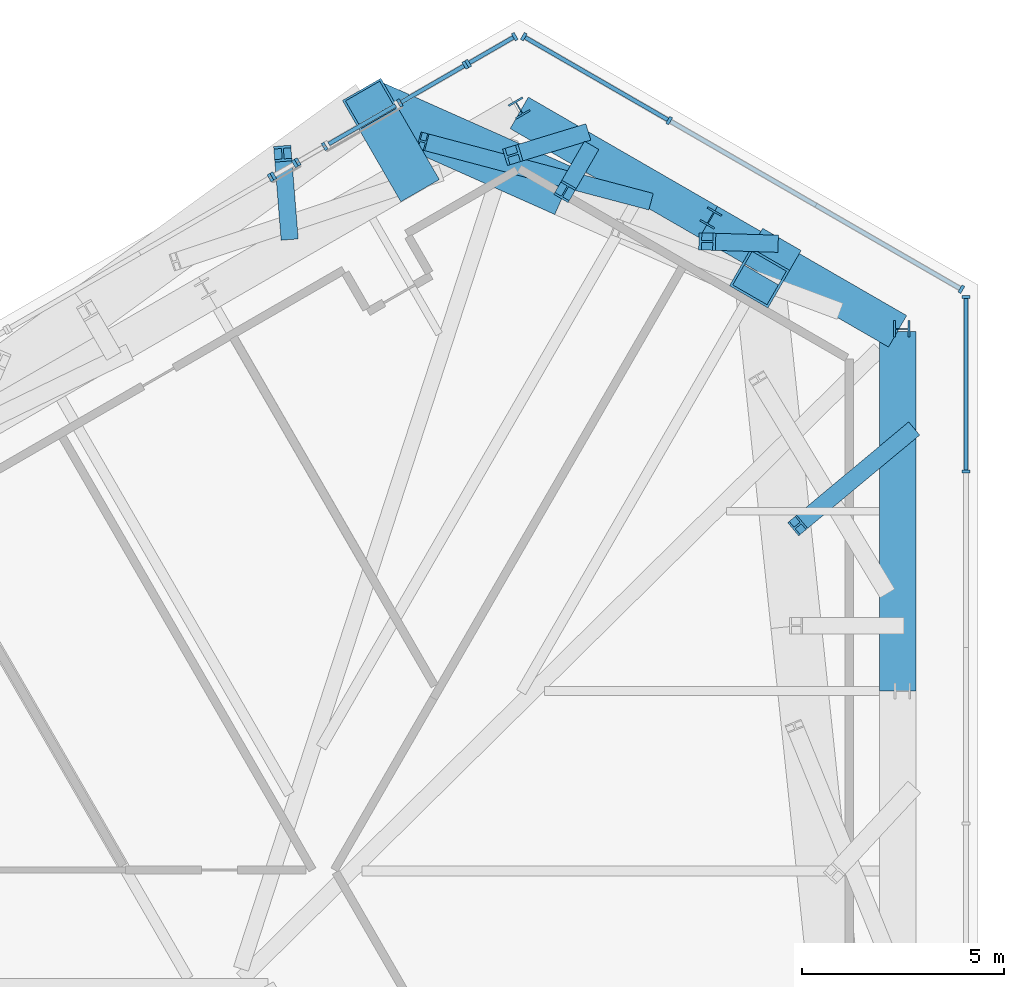
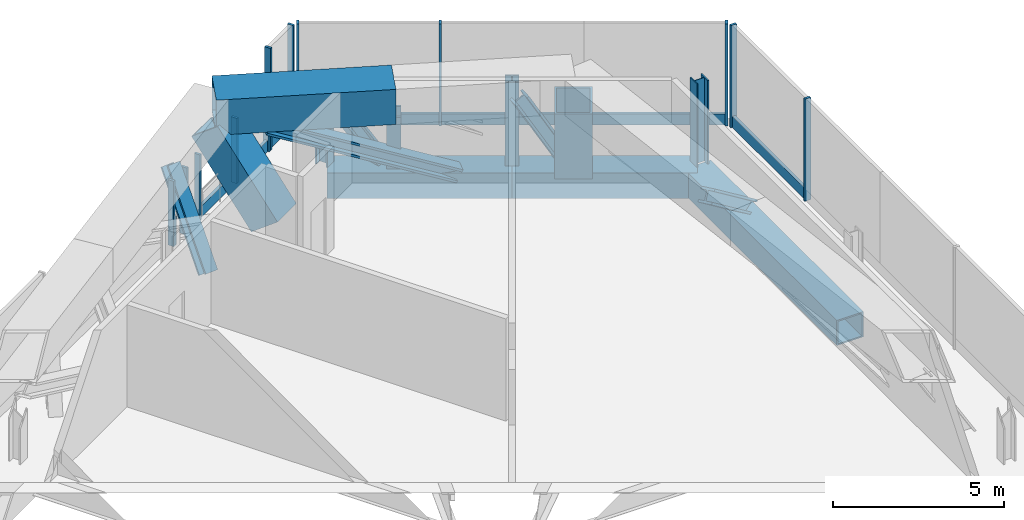
# One storey, part 8 of 23: 35 members, 8 elements without a shape of their own.
"""IFC4 building model written with IfcOpenShell, lengths in metres."""

from ifc_helpers import new_model, si_unit, direction, frame, origin, origin_2d, place, context, subcontext, project, spatial, rectangle, hollow_rectangle, i_section, extrude, source, transform, mapped, material, material_profile, profile_set, type_object, element, aggregate, save


model = new_model("IFC4")

# Units and contexts
model_context = context("Model", 3, precision=1e-05, world=origin(), true_north=direction((0.0, 1.0)))
body_context = subcontext(model_context, "Body", "Model", "MODEL_VIEW")
ifc_project = project(units=[si_unit("LENGTHUNIT", "METRE"), si_unit("AREAUNIT", "SQUARE_METRE"), si_unit("VOLUMEUNIT", "CUBIC_METRE"), si_unit("PLANEANGLEUNIT", "RADIAN"), si_unit("MASSUNIT", "GRAM", prefix="KILO")], contexts=[model_context])

# Site, building, storey
site_placement = place(None, origin())
site = spatial("IfcSite", under=ifc_project, at=site_placement, CompositionType="ELEMENT")
building_placement = place(site_placement, origin())
building = spatial("IfcBuilding", under=site, at=building_placement, Name="Triune Harvest Tower", CompositionType="ELEMENT")
storey_placement = place(building_placement, frame((0.0, 0.0, 54.699951171875)))
storey = spatial("IfcBuildingStorey", under=building, at=storey_placement, Name="L12", CompositionType="ELEMENT", Elevation=54.699951171875)

# Member
ifc_material_1 = material(Name="Steel ASTM A992 Gr 50", Category="steel")
ifc_material_profile_1 = material_profile(ifc_material_1, i_section(OverallWidth=0.424072265625, OverallDepth=0.47509765625, WebThickness=0.0478515625, FlangeThickness=0.0771484375, at=origin_2d()), Name="W14x426")
ifc_profile_set_1 = profile_set([ifc_material_profile_1], Name="Steel ASTM A992 Gr 50")
member_type_1 = type_object("IfcMemberType", Name="TD-1 Belt truss diagonal W14x426", PredefinedType="BRACE", material=ifc_profile_set_1)
member_1_placement = place(storey_placement, frame((15.474365234375, 29.96630859375, -0.324951171875), z_axis=(-0.871974273265, 0.230691571482, 0.431789608039), x_axis=(-0.255762894571, -0.966739541842, 0.0)))
element("IfcMember", 1, at=member_1_placement, inside=storey, type_object=member_type_1, Name="truss/L12/TD15", PredefinedType="BRACE", context=body_context, shape_type="SweptSolid", body=[
    extrude(i_section(OverallWidth=0.424072265625, OverallDepth=0.47509765625, WebThickness=0.0478515625, FlangeThickness=0.0771484375, at=origin_2d()), origin(), (0.0, 0.0, 1.0), 6.368896484375),
])

# Curtain wall, member
ifc_material_2 = material(Name="Aluminium bronze anodised", Category="aluminium")
curtain_wall_type = type_object("IfcCurtainWallType", Name="CW-5 Plant louvre wall", PredefinedType="NOTDEFINED", material=ifc_material_2)
curtain_wall_1_placement = place(storey_placement, origin())
curtain_wall_1 = element("IfcCurtainWall", 2, at=curtain_wall_1_placement, inside=storey, type_object=curtain_wall_type, Name="CW-5 B1-F1 L12 run 601")
ifc_material_3 = material(Name="Aluminium bronze anodised", Category="aluminium")
ifc_material_profile_2 = material_profile(ifc_material_3, rectangle(XDim=0.10009765625, YDim=0.39990234375, at=origin_2d()), Name="TR-5 transom 100 x 400")
ifc_profile_set_2 = profile_set([ifc_material_profile_2], Name="Aluminium bronze anodised")
member_type_2 = type_object("IfcMemberType", Name="TR-5 transom 100 x 400", PredefinedType="USERDEFINED", material=ifc_profile_set_2)
member_2_placement = place(storey_placement, frame((23.371337890625, 23.29736328125, 0.199951171875), z_axis=(0.0, 1.0, 0.0), x_axis=(-1.0, 0.0, 0.0)))
member_2 = element("IfcMember", 3, at=member_2_placement, type_object=member_type_2, Name="CW-5 transom B1-F1 601.5", ObjectType="TRANSOM", PredefinedType="USERDEFINED", context=body_context, shape_type="SweptSolid", body=[
    extrude(rectangle(XDim=0.10009765625, YDim=0.39990234375, at=origin_2d()), origin(), (0.0, 0.0, 1.0), 4.239501953125),
])

curtain_wall_2_placement = place(storey_placement, origin())
curtain_wall_2 = element("IfcCurtainWall", 4, at=curtain_wall_2_placement, inside=storey, type_object=curtain_wall_type, Name="CW-5 B1-F2 L12 run 1")
member_3_placement = place(storey_placement, frame((23.22412109375, 27.791748046875, 0.199951171875), z_axis=(-0.866021501281, 0.500006759273, 0.0), x_axis=(-0.500006759273, -0.866021501281, 0.0)))
member_3 = element("IfcMember", 5, at=member_3_placement, type_object=member_type_2, Name="CW-5 transom B1-F2 1.1", ObjectType="TRANSOM", PredefinedType="USERDEFINED", context=body_context, shape_type="SweptSolid", body=[
    extrude(rectangle(XDim=0.10009765625, YDim=0.39990234375, at=origin_2d()), origin(), (0.0, 0.0, 1.0), 8.27587890625),
])

curtain_wall_3_placement = place(storey_placement, origin())
curtain_wall_3 = element("IfcCurtainWall", 6, at=curtain_wall_3_placement, inside=storey, type_object=curtain_wall_type, Name="CW-5 B1-F3 L12 run 201")
member_4_placement = place(storey_placement, frame((9.245849609375, 32.324951171875, 0.199951171875), z_axis=(-0.866047183366, -0.499962274761, 0.0), x_axis=(0.499962274761, -0.866047183366, 0.0)))
member_4 = element("IfcMember", 7, at=member_4_placement, type_object=member_type_2, Name="CW-5 transom B1-F3 201.1", ObjectType="TRANSOM", PredefinedType="USERDEFINED", context=body_context, shape_type="SweptSolid", body=[
    extrude(rectangle(XDim=0.10009765625, YDim=0.39990234375, at=origin_2d()), origin(), (0.0, 0.0, 1.0), 1.909423828125),
])
aggregate(curtain_wall_3, [member_4])

# Members
ifc_material_4 = material(Name="Steel ASTM A992 Gr 50", Category="steel")
ifc_material_profile_3 = material_profile(ifc_material_4, i_section(OverallWidth=0.40380859375, OverallDepth=0.406494140625, WebThickness=0.027099609375, FlangeThickness=0.043701171875, at=origin_2d()), Name="W14x233")
ifc_profile_set_3 = profile_set([ifc_material_profile_3], Name="Steel ASTM A992 Gr 50")
member_type_3 = type_object("IfcMemberType", Name="WP-1 Roof edge post W14x233", PredefinedType="POST", material=ifc_profile_set_3)
shared_shape_1 = source(origin(), body_context, "Body", "SweptSolid", [
    extrude(i_section(OverallWidth=0.40380859375, OverallDepth=0.406494140625, WebThickness=0.027099609375, FlangeThickness=0.043701171875, at=origin_2d()), origin(), (0.0, 0.0, 1.0), 2.9755859375),
])
for number, where, z_axis, x_axis, name in (
    (8, (21.783447265625, 26.7900390625, -0.25), (0.0, 0.0, 1.0), (0.0, 1.0, 0.0), "post/L12/W6"),
    (9, (17.05419921875, 29.538818359375, -0.25), (0.0, 0.0, 1.0), (-0.866026276448, 0.4999984885, 0.0), "post/L12/W7"),
    (10, (12.30908203125, 32.260009765625, -0.25), (0.0, 0.0, 1.0), (-0.866025403784, -0.5, 0.0), "post/L12/W8"),
):
    element("IfcMember", number, at=place(storey_placement, frame(where, z_axis=z_axis, x_axis=x_axis)), inside=storey, type_object=member_type_3, Name=name, PredefinedType="POST", context=body_context, shape_type="MappedRepresentation", body=[
        mapped(shared_shape_1, transform((0.0, 0.0, 0.0), scale=1.0)),
    ])
ifc_material_5 = material(Name="Steel ASTM A572 Gr 50", Category="steel")
ifc_material_profile_4 = material_profile(ifc_material_5, hollow_rectangle(XDim=0.89990234375, YDim=0.89990234375, WallThickness=0.050048828125, at=origin_2d()), Name="Box 900x900x50")
ifc_profile_set_4 = profile_set([ifc_material_profile_4], Name="Steel ASTM A572 Gr 50")
member_type_4 = type_object("IfcMemberType", Name="TC-2 Belt truss chord Box 900x900x50", PredefinedType="CHORD", material=ifc_profile_set_4)
shared_shape_2 = source(origin(), body_context, "Body", "SweptSolid", [
    extrude(hollow_rectangle(XDim=0.89990234375, YDim=0.89990234375, WallThickness=0.050048828125, at=origin_2d()), origin(), (0.0, 0.0, 1.0), 8.909912109375),
])
member_5_placement = place(storey_placement, frame((21.679443359375, 17.820068359375, -0.699951171875), z_axis=(0.0, 1.0, 0.0), x_axis=(-1.0, 0.0, 0.0)))
element("IfcMember", 11, at=member_5_placement, inside=storey, type_object=member_type_4, Name="truss/L12/TCB6", PredefinedType="CHORD", context=body_context, shape_type="MappedRepresentation", body=[
    mapped(shared_shape_2, transform((0.0, 0.0, 0.0), scale=1.0)),
])
shared_shape_3 = source(origin(), body_context, "Body", "SweptSolid", [
    extrude(hollow_rectangle(XDim=0.89990234375, YDim=0.89990234375, WallThickness=0.050048828125, at=origin_2d()), origin(), (0.0, 0.0, 1.0), 5.409912109375),
])
for number, where, z_axis, x_axis, name in (
    (12, (21.679443359375, 26.72998046875, -0.699951171875), (-0.866012734315, 0.500021943523, 0.0), (-0.500021943523, -0.866012734315, 0.0), "truss/L12/TCB7"),
    (13, (16.994384765625, 29.43505859375, -0.699951171875), (-0.866043556948, 0.499968556481, 0.0), (-0.499968556481, -0.866043556948, 0.0), "truss/L12/TCB8"),
):
    element("IfcMember", number, at=place(storey_placement, frame(where, z_axis=z_axis, x_axis=x_axis)), inside=storey, type_object=member_type_4, Name=name, PredefinedType="CHORD", context=body_context, shape_type="MappedRepresentation", body=[
        mapped(shared_shape_3, transform((0.0, 0.0, 0.0), scale=1.0)),
    ])
ifc_material_6 = material(Name="Steel ASTM A572 Gr 50", Category="steel")
ifc_material_profile_5 = material_profile(ifc_material_6, hollow_rectangle(XDim=1.25, YDim=1.25, WallThickness=0.070068359375, at=origin_2d()), Name="Box 1250x1250x70")
ifc_profile_set_5 = profile_set([ifc_material_profile_5], Name="Steel ASTM A572 Gr 50")
member_type_5 = type_object("IfcMemberType", Name="TC-1 Belt truss chord Box 1250x1250x70", PredefinedType="CHORD", material=ifc_profile_set_5)
shared_shape_4 = source(origin(), body_context, "Body", "SweptSolid", [
    extrude(hollow_rectangle(XDim=1.25, YDim=1.25, WallThickness=0.070068359375, at=origin_2d()), origin(), (0.0, 0.0, 1.0), 5.273193359375),
])
member_6_placement = place(storey_placement, frame((13.443115234375, 30.194091796875, 3.01513671875), z_axis=(-0.91354979995, 0.406726889953, 0.0), x_axis=(-0.406726889953, -0.91354979995, 0.0)))
element("IfcMember", 14, at=member_6_placement, inside=storey, type_object=member_type_5, Name="truss/L12/TCT8", PredefinedType="CHORD", context=body_context, shape_type="MappedRepresentation", body=[
    mapped(shared_shape_4, transform((0.0, 0.0, 0.0), scale=1.0)),
])
ifc_material_7 = material(Name="Steel ASTM A572 Gr 50", Category="steel")
ifc_material_profile_6 = material_profile(ifc_material_7, hollow_rectangle(XDim=1.10009765625, YDim=1.10009765625, WallThickness=0.06005859375, at=origin_2d()), Name="Box 1100x1100x60")
ifc_profile_set_6 = profile_set([ifc_material_profile_6], Name="Steel ASTM A572 Gr 50")
member_type_6 = type_object("IfcMemberType", Name="TS-1 Belt truss raked strut Box 1100x1100x60", PredefinedType="STRUT", material=ifc_profile_set_6)
shared_shape_5 = source(origin(), body_context, "Body", "SweptSolid", [
    extrude(hollow_rectangle(XDim=1.10009765625, YDim=1.10009765625, WallThickness=0.06005859375, at=origin_2d()), origin(), (0.0, 0.0, 1.0), 3.368408203125),
])
member_7_placement = place(storey_placement, frame((9.6328125, 30.5947265625, -0.27490234375), z_axis=(-0.298980682871, 0.51779830265, 0.801558150756), x_axis=(-0.86600389892, -0.500037245667, 0.0)))
element("IfcMember", 15, at=member_7_placement, inside=storey, type_object=member_type_6, Name="truss/L12/TS9", PredefinedType="STRUT", context=body_context, shape_type="MappedRepresentation", body=[
    mapped(shared_shape_5, transform((0.0, 0.0, 0.0), scale=1.0)),
])
shared_shape_6 = source(origin(), body_context, "Body", "SweptSolid", [
    extrude(hollow_rectangle(XDim=1.10009765625, YDim=1.10009765625, WallThickness=0.06005859375, at=origin_2d()), origin(), (0.0, 0.0, 1.0), 2.7587890625),
])
member_8_placement = place(storey_placement, frame((18.544189453125, 28.540283203125, -0.27490234375), z_axis=(-0.102740327093, -0.178047836443, 0.978643649715), x_axis=(0.866142581785, -0.499796986805, 0.0)))
element("IfcMember", 16, at=member_8_placement, inside=storey, type_object=member_type_6, Name="truss/L12/TS7", PredefinedType="STRUT", context=body_context, shape_type="MappedRepresentation", body=[
    mapped(shared_shape_6, transform((0.0, 0.0, 0.0), scale=1.0)),
])
ifc_material_8 = material(Name="Steel ASTM A992 Gr 50", Category="steel")
ifc_material_profile_7 = material_profile(ifc_material_8, i_section(OverallWidth=0.411376953125, OverallDepth=0.434326171875, WebThickness=0.035888671875, FlangeThickness=0.057373046875, at=origin_2d()), Name="W14x311")
ifc_profile_set_7 = profile_set([ifc_material_profile_7], Name="Steel ASTM A992 Gr 50")
member_type_7 = type_object("IfcMemberType", Name="TV-1 Belt truss strut W14x311", PredefinedType="STRUT", material=ifc_profile_set_7)
shared_shape_7 = source(origin(), body_context, "Body", "SweptSolid", [
    extrude(i_section(OverallWidth=0.411376953125, OverallDepth=0.434326171875, WebThickness=0.035888671875, FlangeThickness=0.057373046875, at=origin_2d()), origin(), (0.0, 0.0, 1.0), 2.92236328125),
])
member_9_placement = place(storey_placement, frame((14.002197265625, 31.162353515625, -0.27490234375), z_axis=(-0.191315726979, -0.331335446812, 0.923912936535), x_axis=(0.866003766563, -0.500037474894, 0.0)))
element("IfcMember", 17, at=member_9_placement, inside=storey, type_object=member_type_7, Name="truss/L12/TS8", PredefinedType="STRUT", context=body_context, shape_type="MappedRepresentation", body=[
    mapped(shared_shape_7, transform((0.0, 0.0, 0.0), scale=1.0)),
])
shared_shape_8 = source(origin(), body_context, "Body", "SweptSolid", [
    extrude(i_section(OverallWidth=0.424072265625, OverallDepth=0.47509765625, WebThickness=0.0478515625, FlangeThickness=0.0771484375, at=origin_2d()), origin(), (0.0, 0.0, 1.0), 3.36572265625),
])
member_10_placement = place(storey_placement, frame((6.60791015625, 29.19482421875, -0.324951171875), z_axis=(-0.045916325839, 0.574715718202, 0.817063971959), x_axis=(-0.996823673934, -0.079640210223, 0.0)))
element("IfcMember", 18, at=member_10_placement, inside=storey, type_object=member_type_1, Name="truss/L12/TD18", PredefinedType="BRACE", context=body_context, shape_type="MappedRepresentation", body=[
    mapped(shared_shape_8, transform((0.0, 0.0, 0.0), scale=1.0)),
])
shared_shape_9 = source(origin(), body_context, "Body", "SweptSolid", [
    extrude(i_section(OverallWidth=0.424072265625, OverallDepth=0.47509765625, WebThickness=0.0478515625, FlangeThickness=0.0771484375, at=origin_2d()), origin(), (0.0, 0.0, 1.0), 4.5380859375),
])
member_11_placement = place(storey_placement, frame((21.9794921875, 24.22998046875, -0.324951171875), z_axis=(-0.611416092931, -0.508876799211, 0.605982478731), x_axis=(0.639711977508, -0.76861471872, 0.0)))
element("IfcMember", 19, at=member_11_placement, inside=storey, type_object=member_type_1, Name="truss/L12/TD12", PredefinedType="BRACE", context=body_context, shape_type="MappedRepresentation", body=[
    mapped(shared_shape_9, transform((0.0, 0.0, 0.0), scale=1.0)),
])
shared_shape_10 = source(origin(), body_context, "Body", "SweptSolid", [
    extrude(i_section(OverallWidth=0.424072265625, OverallDepth=0.47509765625, WebThickness=0.0478515625, FlangeThickness=0.0771484375, at=origin_2d()), origin(), (0.0, 0.0, 1.0), 3.15673828125),
])
member_12_placement = place(storey_placement, frame((18.514404296875, 28.90380859375, -0.324951171875), z_axis=(-0.49073184705, 0.015390959427, 0.871174708459), x_axis=(-0.031347864216, -0.999508534936, 0.0)))
element("IfcMember", 20, at=member_12_placement, inside=storey, type_object=member_type_1, Name="truss/L12/TD14", PredefinedType="BRACE", context=body_context, shape_type="MappedRepresentation", body=[
    mapped(shared_shape_10, transform((0.0, 0.0, 0.0), scale=1.0)),
])
shared_shape_11 = source(origin(), body_context, "Body", "SweptSolid", [
    extrude(i_section(OverallWidth=0.424072265625, OverallDepth=0.47509765625, WebThickness=0.0478515625, FlangeThickness=0.0771484375, at=origin_2d()), origin(), (0.0, 0.0, 1.0), 3.263427734375),
])
member_13_placement = place(storey_placement, frame((13.8291015625, 31.60888671875, -0.324951171875), z_axis=(-0.515133075957, -0.15679914714, 0.84264579837), x_axis=(0.291194785462, -0.956663784681, 0.0)))
element("IfcMember", 21, at=member_13_placement, inside=storey, type_object=member_type_1, Name="truss/L12/TD16", PredefinedType="BRACE", context=body_context, shape_type="MappedRepresentation", body=[
    mapped(shared_shape_11, transform((0.0, 0.0, 0.0), scale=1.0)),
])

# Member
ifc_material_9 = material(Name="Aluminium bronze anodised", Category="aluminium")
ifc_material_profile_8 = material_profile(ifc_material_9, rectangle(XDim=0.199951171875, YDim=0.080078125, at=origin_2d()), Name="MU-5 mullion 80 x 200")
ifc_profile_set_8 = profile_set([ifc_material_profile_8], Name="Aluminium bronze anodised")
member_type_8 = type_object("IfcMemberType", Name="MU-5 mullion 80 x 200", PredefinedType="MULLION", material=ifc_profile_set_8)
shared_shape_12 = source(origin(), body_context, "Body", "SweptSolid", [
    extrude(rectangle(XDim=0.199951171875, YDim=0.080078125, at=origin_2d()), origin(), (0.0, 0.0, 1.0), 3.64013671875),
])
member_14_placement = place(storey_placement, frame((23.371337890625, 23.25732421875, 0.0), z_axis=(0.0, 0.0, 1.0), x_axis=(-1.0, 0.0, 0.0)))
member_14 = element("IfcMember", 22, at=member_14_placement, type_object=member_type_8, Name="CW-5 mullion B1-F1 601.9", PredefinedType="MULLION", context=body_context, shape_type="MappedRepresentation", body=[
    mapped(shared_shape_12, transform((0.0, 0.0, 0.0), scale=1.0)),
])

member_15_placement = place(storey_placement, frame((23.371337890625, 27.576904296875, 0.0), z_axis=(0.0, 0.0, 1.0), x_axis=(-1.0, 0.0, 0.0)))
member_15 = element("IfcMember", 23, at=member_15_placement, type_object=member_type_8, Name="CW-5 mullion B1-F1 601.10", PredefinedType="MULLION", context=body_context, shape_type="MappedRepresentation", body=[
    mapped(shared_shape_12, transform((0.0, 0.0, 0.0), scale=1.0)),
])

aggregate(curtain_wall_1, [member_14, member_15, member_2])

member_16_placement = place(storey_placement, frame((23.2587890625, 27.771728515625, 0.0), z_axis=(0.0, 0.0, 1.0), x_axis=(-0.499998715149, -0.866026145592, 0.0)))
member_16 = element("IfcMember", 24, at=member_16_placement, type_object=member_type_8, Name="CW-5 mullion B1-F2 1.1", PredefinedType="MULLION", context=body_context, shape_type="MappedRepresentation", body=[
    mapped(shared_shape_12, transform((0.0, 0.0, 0.0), scale=1.0)),
])

member_17_placement = place(storey_placement, frame((16.0224609375, 31.94970703125, 0.0), z_axis=(0.0, 0.0, 1.0), x_axis=(-0.499998715149, -0.866026145592, 0.0)))
member_17 = element("IfcMember", 25, at=member_17_placement, type_object=member_type_8, Name="CW-5 mullion B1-F2 1.3", PredefinedType="MULLION", context=body_context, shape_type="MappedRepresentation", body=[
    mapped(shared_shape_12, transform((0.0, 0.0, 0.0), scale=1.0)),
])

member_18_placement = place(storey_placement, frame((12.421630859375, 34.028564453125, 0.0), z_axis=(0.0, 0.0, 1.0), x_axis=(-0.499998715149, -0.866026145592, 0.0)))
member_18 = element("IfcMember", 26, at=member_18_placement, type_object=member_type_8, Name="CW-5 mullion B1-F2 1.4", PredefinedType="MULLION", context=body_context, shape_type="MappedRepresentation", body=[
    mapped(shared_shape_12, transform((0.0, 0.0, 0.0), scale=1.0)),
])

# Curtain wall, members
curtain_wall_4_placement = place(storey_placement, origin())
curtain_wall_4 = element("IfcCurtainWall", 27, at=curtain_wall_4_placement, inside=storey, type_object=curtain_wall_type, Name="CW-5 B1-F3 L12 run 1")
member_19_placement = place(storey_placement, frame((12.196533203125, 34.028564453125, 0.0), z_axis=(0.0, 0.0, 1.0), x_axis=(0.499977881022, -0.866038173806, 0.0)))
member_19 = element("IfcMember", 28, at=member_19_placement, type_object=member_type_8, Name="CW-5 mullion B1-F3 1.1", PredefinedType="MULLION", context=body_context, shape_type="MappedRepresentation", body=[
    mapped(shared_shape_12, transform((0.0, 0.0, 0.0), scale=1.0)),
])
member_20_placement = place(storey_placement, frame((11.04296875, 33.362548828125, 0.0), z_axis=(0.0, 0.0, 1.0), x_axis=(0.499977881022, -0.866038173806, 0.0)))
member_20 = element("IfcMember", 29, at=member_20_placement, type_object=member_type_8, Name="CW-5 mullion B1-F3 1.2", PredefinedType="MULLION", context=body_context, shape_type="MappedRepresentation", body=[
    mapped(shared_shape_12, transform((0.0, 0.0, 0.0), scale=1.0)),
])
shared_shape_13 = source(origin(), body_context, "Body", "SweptSolid", [
    extrude(rectangle(XDim=0.10009765625, YDim=0.39990234375, at=origin_2d()), origin(), (0.0, 0.0, 1.0), 1.251953125),
])
member_21_placement = place(storey_placement, frame((12.161865234375, 34.008544921875, 0.199951171875), z_axis=(-0.866026463129, -0.499998165157, 0.0), x_axis=(0.499998165157, -0.866026463129, 0.0)))
member_21 = element("IfcMember", 30, at=member_21_placement, type_object=member_type_2, Name="CW-5 transom B1-F3 1.1", ObjectType="TRANSOM", PredefinedType="USERDEFINED", context=body_context, shape_type="MappedRepresentation", body=[
    mapped(shared_shape_13, transform((0.0, 0.0, 0.0), scale=1.0)),
])
aggregate(curtain_wall_4, [member_19, member_20, member_21])

curtain_wall_5_placement = place(storey_placement, origin())
curtain_wall_5 = element("IfcCurtainWall", 31, at=curtain_wall_5_placement, inside=storey, type_object=curtain_wall_type, Name="CW-5 B1-F3 L12 run 101")
shared_shape_14 = source(origin(), body_context, "Body", "SweptSolid", [
    extrude(rectangle(XDim=0.199951171875, YDim=0.080078125, at=origin_2d()), origin(), (0.0, 0.0, 1.0), 2.330078125),
])
member_22_placement = place(storey_placement, frame((10.9736328125, 33.322509765625, 0.0), z_axis=(0.0, 0.0, 1.0), x_axis=(0.500011709087, -0.866018643434, 0.0)))
member_22 = element("IfcMember", 32, at=member_22_placement, type_object=member_type_8, Name="CW-5 mullion B1-F3 101.1", PredefinedType="MULLION", context=body_context, shape_type="MappedRepresentation", body=[
    mapped(shared_shape_14, transform((0.0, 0.0, 0.0), scale=1.0)),
])
member_23_placement = place(storey_placement, frame((9.349853515625, 32.385009765625, 0.0), z_axis=(0.0, 0.0, 1.0), x_axis=(0.500011709087, -0.866018643434, 0.0)))
member_23 = element("IfcMember", 33, at=member_23_placement, type_object=member_type_8, Name="CW-5 mullion B1-F3 101.2", PredefinedType="MULLION", context=body_context, shape_type="MappedRepresentation", body=[
    mapped(shared_shape_14, transform((0.0, 0.0, 0.0), scale=1.0)),
])

curtain_wall_6_placement = place(storey_placement, origin())
curtain_wall_6 = element("IfcCurtainWall", 34, at=curtain_wall_6_placement, inside=storey, type_object=curtain_wall_type, Name="CW-5 B1-F3 L12 run 301")
member_24_placement = place(storey_placement, frame((7.48828125, 31.310302734375, 0.0), z_axis=(0.0, 0.0, 1.0), x_axis=(0.499950033847, -0.866054249834, 0.0)))
member_24 = element("IfcMember", 35, at=member_24_placement, type_object=member_type_8, Name="CW-5 mullion B1-F3 301.1", PredefinedType="MULLION", context=body_context, shape_type="MappedRepresentation", body=[
    mapped(shared_shape_14, transform((0.0, 0.0, 0.0), scale=1.0)),
])
member_25_placement = place(storey_placement, frame((6.82177734375, 30.925537109375, 0.0), z_axis=(0.0, 0.0, 1.0), x_axis=(0.499950033847, -0.866054249834, 0.0)))
member_25 = element("IfcMember", 36, at=member_25_placement, type_object=member_type_8, Name="CW-5 mullion B1-F3 301.2", PredefinedType="MULLION", context=body_context, shape_type="MappedRepresentation", body=[
    mapped(shared_shape_14, transform((0.0, 0.0, 0.0), scale=1.0)),
])
aggregate(curtain_wall_6, [member_24, member_25])

# Curtain wall, member
curtain_wall_7_placement = place(storey_placement, origin())
curtain_wall_7 = element("IfcCurtainWall", 37, at=curtain_wall_7_placement, inside=storey, type_object=curtain_wall_type, Name="CW-5 B1-F3 L12 run 501")
member_26_placement = place(storey_placement, frame((6.1484375, 30.53662109375, 0.0), z_axis=(0.0, 0.0, 1.0), x_axis=(0.500002158495, -0.866024157573, 0.0)))
member_26 = element("IfcMember", 38, at=member_26_placement, type_object=member_type_8, Name="CW-5 mullion B1-F3 501.1", PredefinedType="MULLION", context=body_context, shape_type="MappedRepresentation", body=[
    mapped(shared_shape_14, transform((0.0, 0.0, 0.0), scale=1.0)),
])
aggregate(curtain_wall_7, [member_26])

# Member
shared_shape_15 = source(origin(), body_context, "Body", "SweptSolid", [
    extrude(rectangle(XDim=0.10009765625, YDim=0.39990234375, at=origin_2d()), origin(), (0.0, 0.0, 1.0), 1.795166015625),
])
member_27_placement = place(storey_placement, frame((10.93896484375, 33.302490234375, 0.199951171875), z_axis=(-0.866058764138, -0.49994221372, 0.0), x_axis=(0.49994221372, -0.866058764138, 0.0)))
member_27 = element("IfcMember", 39, at=member_27_placement, type_object=member_type_2, Name="CW-5 transom B1-F3 101.1", ObjectType="TRANSOM", PredefinedType="USERDEFINED", context=body_context, shape_type="MappedRepresentation", body=[
    mapped(shared_shape_15, transform((0.0, 0.0, 0.0), scale=1.0)),
])

aggregate(curtain_wall_5, [member_22, member_23, member_27])

# Curtain wall, members
curtain_wall_8_placement = place(storey_placement, origin())
curtain_wall_8 = element("IfcCurtainWall", 40, at=curtain_wall_8_placement, inside=storey, type_object=curtain_wall_type, Name="CW-5 B1-F3 L12 run 401")
shared_shape_16 = source(origin(), body_context, "Body", "SweptSolid", [
    extrude(rectangle(XDim=0.199951171875, YDim=0.080078125, at=origin_2d()), origin(), (0.0, 0.0, 1.0), 1.0029296875),
])
member_28_placement = place(storey_placement, frame((6.75244140625, 30.885498046875, 0.0), z_axis=(0.0, 0.0, 1.0), x_axis=(0.500069835469, -0.865985080503, 0.0)))
member_28 = element("IfcMember", 41, at=member_28_placement, type_object=member_type_8, Name="CW-5 mullion B1-F3 401.1", PredefinedType="MULLION", context=body_context, shape_type="MappedRepresentation", body=[
    mapped(shared_shape_16, transform((0.0, 0.0, 0.0), scale=1.0)),
])
member_29_placement = place(storey_placement, frame((6.217529296875, 30.57666015625, 0.0), z_axis=(0.0, 0.0, 1.0), x_axis=(0.500069835469, -0.865985080503, 0.0)))
member_29 = element("IfcMember", 42, at=member_29_placement, type_object=member_type_8, Name="CW-5 mullion B1-F3 401.2", PredefinedType="MULLION", context=body_context, shape_type="MappedRepresentation", body=[
    mapped(shared_shape_16, transform((0.0, 0.0, 0.0), scale=1.0)),
])
aggregate(curtain_wall_8, [member_28, member_29])

# Member
shared_shape_17 = source(origin(), body_context, "Body", "SweptSolid", [
    extrude(rectangle(XDim=0.10009765625, YDim=0.39990234375, at=origin_2d()), origin(), (0.0, 0.0, 1.0), 4.077880859375),
])
member_30_placement = place(storey_placement, frame((15.98779296875, 31.9697265625, 0.199951171875), z_axis=(-0.866035038465, 0.499983311872, 0.0), x_axis=(-0.499983311872, -0.866035038465, 0.0)))
member_30 = element("IfcMember", 43, at=member_30_placement, type_object=member_type_2, Name="CW-5 transom B1-F2 1.2", ObjectType="TRANSOM", PredefinedType="USERDEFINED", context=body_context, shape_type="MappedRepresentation", body=[
    mapped(shared_shape_17, transform((0.0, 0.0, 0.0), scale=1.0)),
])

aggregate(curtain_wall_2, [member_16, member_17, member_18, member_3, member_30])

save(model, "model.ifc")
